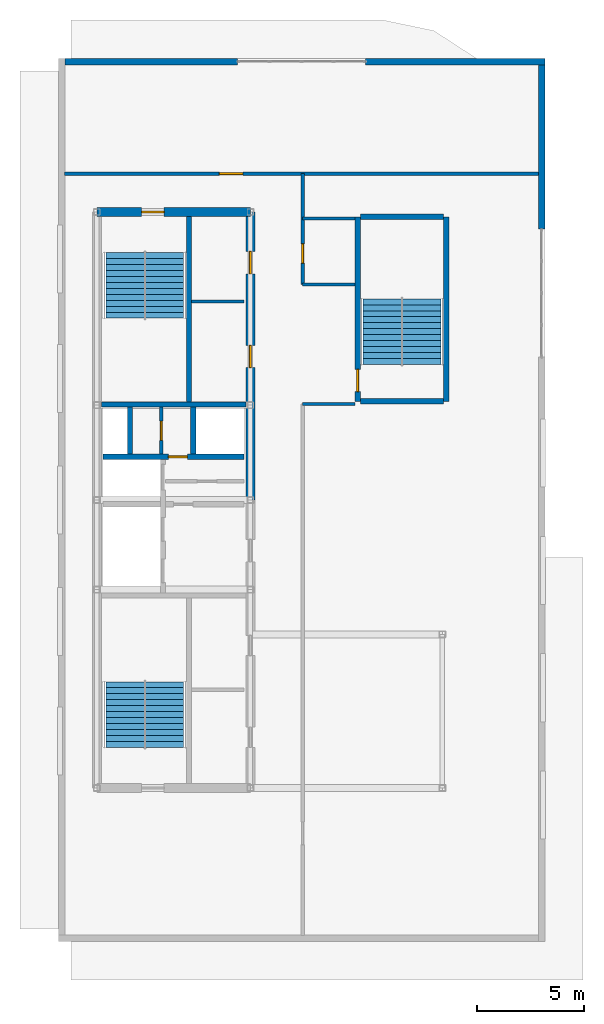
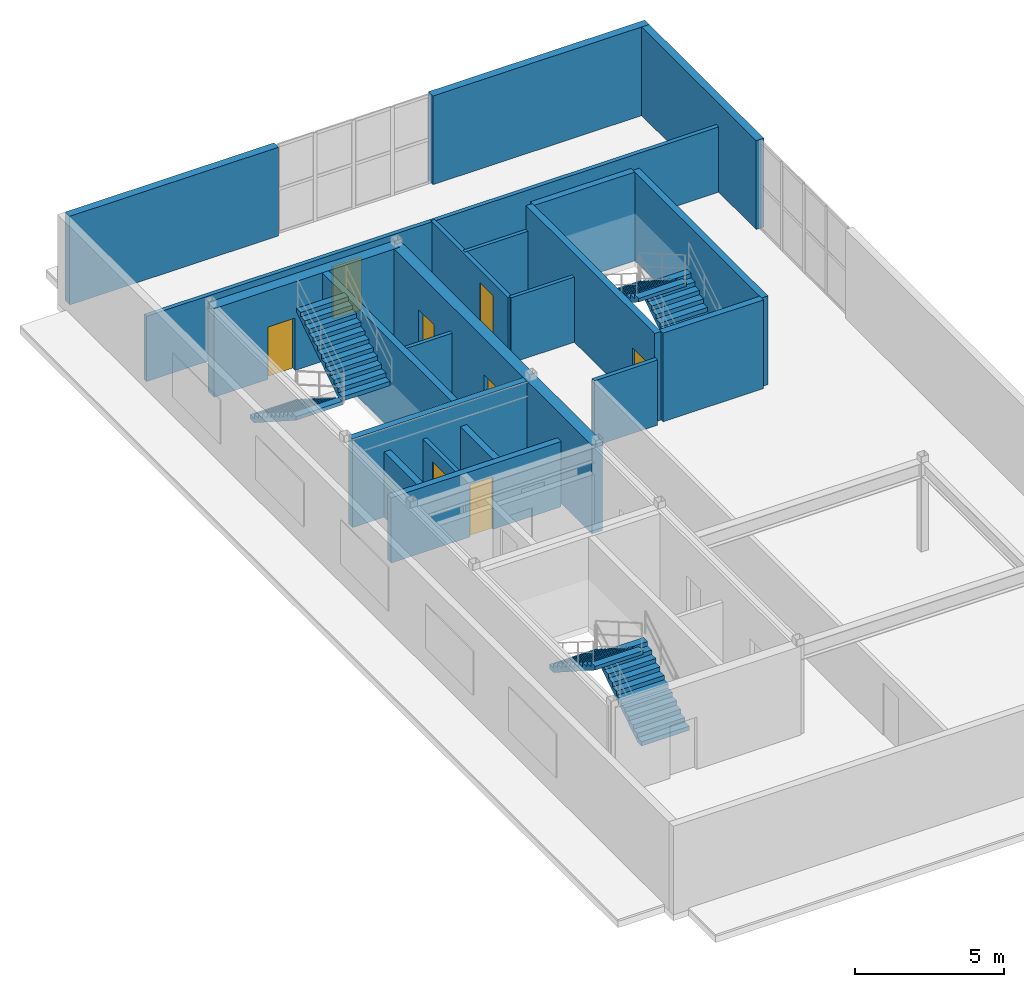
# One storey, part 6 of 9: 21 walls, 8 doors, 6 stair flights, 8 openings, 3 elements without a shape of their own.
"""IFC4 building model written with IfcOpenShell, lengths in metres."""

from ifc_helpers import new_model, entity, si_unit, converted_unit, direction, frame, origin_with_axes, origin_2d_with_axis, place, context, subcontext, project, spatial, polyline, rectangle, outline, extrude, material, layer, layer_set, type_object, element, fill, aggregate, save


model = new_model("IFC4")

# Units and contexts
model_context = context("Model", 3, precision=1e-05, world=origin_with_axes(), true_north=direction((0.0, 1.0)))
body_context = subcontext(model_context, "Body", "Model", "MODEL_VIEW")
ifc_project = project(units=[si_unit("LENGTHUNIT", "METRE"), si_unit("AREAUNIT", "SQUARE_METRE"), si_unit("VOLUMEUNIT", "CUBIC_METRE"), converted_unit("PLANEANGLEUNIT", "DEGREE", entity("IfcPlaneAngleMeasure", 0.017453292519943295), si_unit("PLANEANGLEUNIT", "RADIAN"), dimensions=[0, 0, 0, 0, 0, 0, 0]), si_unit("MASSUNIT", "GRAM", prefix="KILO"), si_unit("THERMODYNAMICTEMPERATUREUNIT", "KELVIN")], contexts=[model_context])

# Site, building, storey
site_placement = place(None, origin_with_axes())
site = spatial("IfcSite", under=ifc_project, at=site_placement, CompositionType="ELEMENT")
building_placement = place(site_placement, origin_with_axes())
building = spatial("IfcBuilding", under=site, at=building_placement, Name="Varnlund Millrace Tower", CompositionType="ELEMENT")
storey_placement = place(building_placement, frame((0.0, 0.0, 308.7), z_axis=(0.0, 0.0, 1.0), x_axis=(1.0, 0.0, 0.0)))
storey = spatial("IfcBuildingStorey", under=building, at=storey_placement, Name="L76", CompositionType="ELEMENT", Elevation=308.7)

# Wall, opening, door
ifc_material_1 = material(Name="Concrete C60/75", Category="concrete")
ifc_layer_1 = layer(ifc_material_1, 0.42, Name="Concrete C60/75")
ifc_layer_set_1 = layer_set([ifc_layer_1], Name="Concrete C60/75")
wall_type_1 = type_object("IfcWallType", Name="Type-CoreWall-Shear-420-C60", PredefinedType="SHEAR", material=ifc_layer_set_1)
wall_1_placement = place(storey_placement, frame((11.4, 37.8, 0.0), z_axis=(0.0, 0.0, 1.0), x_axis=(1.0, 0.0, 0.0)))
wall_1 = element("IfcWall", 1, at=wall_1_placement, inside=storey, type_object=wall_type_1, Name="Type-CoreWall-Shear-420-C60", PredefinedType="SHEAR", context=body_context, shape_type="SweptSolid", body=[
    extrude(outline(polyline([(0.0, -0.21), (7.2, -0.21), (7.2, 0.21), (0.0, 0.21), (0.0, -0.21)])), origin_with_axes(), (0.0, 0.0, 1.0), 3.64),
])
opening_1_placement = place(wall_1_placement, frame((2.625, 0.0, 0.0), z_axis=(0.0, 0.0, 1.0), x_axis=(1.0, 0.0, 0.0)))
opening_1 = element("IfcOpeningElement", 2, at=opening_1_placement, cuts=wall_1, Name="Opening L76:DR-STA2", PredefinedType="OPENING", context=body_context, shape_type="SweptSolid", body=[
    extrude(rectangle(XDim=1.05, YDim=0.44, at=origin_2d_with_axis()), origin_with_axes(), (0.0, 0.0, 1.0), 2.15),
])
ifc_material_2 = material(Name="Fire-rated hollow steel door", Category="steel")
door_type_1 = type_object("IfcDoorType", Name="Type-FireDoor-Stair-1050X2150", OperationType="NOTDEFINED", PredefinedType="DOOR", material=ifc_material_2)
door_1_placement = place(wall_1_placement, frame((2.625, 0.0, 0.0), z_axis=(0.0, 0.0, 1.0), x_axis=(1.0, 0.0, 0.0)))
door_1 = element("IfcDoor", 3, at=door_1_placement, inside=storey, type_object=door_type_1, Name="Type-FireDoor-Stair-1050X2150", OperationType="SINGLE_SWING_RIGHT", OverallHeight=2.15, OverallWidth=1.05, PredefinedType="DOOR", context=body_context, shape_type="SweptSolid", body=[
    extrude(rectangle(XDim=1.05, YDim=0.09, at=origin_2d_with_axis()), origin_with_axes(), (0.0, 0.0, 1.0), 2.15),
])
fill(opening_1, door_1)

# Wall, openings, doors
wall_2_placement = place(storey_placement, frame((18.6, 24.3, 0.0), z_axis=(0.0, 0.0, 1.0), x_axis=(0.0, 1.0, 0.0)))
wall_2 = element("IfcWall", 4, at=wall_2_placement, inside=storey, type_object=wall_type_1, Name="Type-CoreWall-Shear-420-C60", PredefinedType="SHEAR", context=body_context, shape_type="SweptSolid", body=[
    extrude(outline(polyline([(0.0, -0.21), (13.5, -0.21), (13.5, 0.21), (0.0, 0.21), (0.0, -0.21)])), origin_with_axes(), (0.0, 0.0, 1.0), 3.64),
])
opening_2_placement = place(wall_2_placement, frame((6.725, 0.0, 0.0), z_axis=(0.0, 0.0, 1.0), x_axis=(1.0, 0.0, 0.0)))
opening_2 = element("IfcOpeningElement", 5, at=opening_2_placement, cuts=wall_2, Name="Opening L76:DR-RECL-M1", PredefinedType="OPENING", context=body_context, shape_type="SweptSolid", body=[
    extrude(rectangle(XDim=1.05, YDim=0.44, at=origin_2d_with_axis()), origin_with_axes(), (0.0, 0.0, 1.0), 2.15),
])
opening_3_placement = place(wall_2_placement, frame((11.125, 0.0, 0.0), z_axis=(0.0, 0.0, 1.0), x_axis=(1.0, 0.0, 0.0)))
opening_3 = element("IfcOpeningElement", 6, at=opening_3_placement, cuts=wall_2, Name="Opening L76:DR-RECL-M2", PredefinedType="OPENING", context=body_context, shape_type="SweptSolid", body=[
    extrude(rectangle(XDim=1.05, YDim=0.44, at=origin_2d_with_axis()), origin_with_axes(), (0.0, 0.0, 1.0), 2.15),
])
ifc_material_3 = material(Name="Smoke-barrier hollow steel fire door", Category="steel")
door_type_2 = type_object("IfcDoorType", Name="Type-FireDoor-Lobby-1050X2150", OperationType="NOTDEFINED", PredefinedType="DOOR", material=ifc_material_3)
door_2_placement = place(wall_2_placement, frame((6.725, 0.0, 0.0), z_axis=(0.0, 0.0, 1.0), x_axis=(1.0, 0.0, 0.0)))
door_2 = element("IfcDoor", 7, at=door_2_placement, inside=storey, type_object=door_type_2, Name="Type-FireDoor-Lobby-1050X2150", OperationType="SINGLE_SWING_LEFT", OverallHeight=2.15, OverallWidth=1.05, PredefinedType="DOOR", context=body_context, shape_type="SweptSolid", body=[
    extrude(rectangle(XDim=1.05, YDim=0.09, at=origin_2d_with_axis()), origin_with_axes(), (0.0, 0.0, 1.0), 2.15),
])
fill(opening_2, door_2)
door_3_placement = place(wall_2_placement, frame((11.125, 0.0, 0.0), z_axis=(0.0, 0.0, 1.0), x_axis=(1.0, 0.0, 0.0)))
door_3 = element("IfcDoor", 8, at=door_3_placement, inside=storey, type_object=door_type_2, Name="Type-FireDoor-Lobby-1050X2150", OperationType="SINGLE_SWING_RIGHT", OverallHeight=2.15, OverallWidth=1.05, PredefinedType="DOOR", context=body_context, shape_type="SweptSolid", body=[
    extrude(rectangle(XDim=1.05, YDim=0.09, at=origin_2d_with_axis()), origin_with_axes(), (0.0, 0.0, 1.0), 2.15),
])
fill(opening_3, door_3)

# Walls
ifc_material_4 = material(Name="Precast concrete C50/60", Category="concrete")
ifc_layer_2 = layer(ifc_material_4, 0.3, Name="Precast concrete C50/60")
ifc_layer_set_2 = layer_set([ifc_layer_2], Name="Precast concrete C50/60")
wall_type_2 = type_object("IfcWallType", Name="Type-ExtWall-Precast-Crown-300", PredefinedType="SOLIDWALL", material=ifc_layer_set_2)
wall_3_placement = place(storey_placement, frame((9.9, 44.85, 0.0), z_axis=(0.0, 0.0, 1.0), x_axis=(1.0, 0.0, 0.0)))
element("IfcWall", 9, at=wall_3_placement, inside=storey, type_object=wall_type_2, Name="Type-ExtWall-Precast-Crown-300", PredefinedType="SOLIDWALL", context=body_context, shape_type="SweptSolid", body=[
    extrude(outline(polyline([(0.0, -0.15), (8.1, -0.15), (8.1, 0.15), (0.0, 0.15), (0.0, -0.15)])), origin_with_axes(), (0.0, 0.0, 1.0), 3.64),
])
wall_4_placement = place(storey_placement, frame((24.0, 44.85, 0.0), z_axis=(0.0, 0.0, 1.0), x_axis=(1.0, 0.0, 0.0)))
element("IfcWall", 10, at=wall_4_placement, inside=storey, type_object=wall_type_2, Name="Type-ExtWall-Precast-Crown-300", PredefinedType="SOLIDWALL", context=body_context, shape_type="SweptSolid", body=[
    extrude(outline(polyline([(0.0, -0.15), (8.4, -0.15), (8.4, 0.15), (0.0, 0.15), (0.0, -0.15)])), origin_with_axes(), (0.0, 0.0, 1.0), 3.64),
])
wall_5_placement = place(storey_placement, frame((32.25, 44.7, 0.0), z_axis=(0.0, 0.0, 1.0), x_axis=(0.0, -1.0, 0.0)))
element("IfcWall", 11, at=wall_5_placement, inside=storey, type_object=wall_type_2, Name="Type-ExtWall-Precast-Crown-300", PredefinedType="SOLIDWALL", context=body_context, shape_type="SweptSolid", body=[
    extrude(outline(polyline([(0.0, -0.15), (7.7, -0.15), (7.7, 0.15), (0.0, 0.15), (0.0, -0.15)])), origin_with_axes(), (0.0, 0.0, 1.0), 3.64),
])

# Wall, opening, door
ifc_material_5 = material(Name="Fire-rated gypsum board on cold-formed steel framing", Category="steel")
ifc_layer_3 = layer(ifc_material_5, 0.16, Name="Fire-rated gypsum board on cold-formed steel framing")
ifc_layer_set_3 = layer_set([ifc_layer_3], Name="Fire-rated gypsum board on cold-formed steel framing")
wall_type_3 = type_object("IfcWallType", Name="Type-Partition-Corridor-160", PredefinedType="PARTITIONING", material=ifc_layer_set_3)
wall_6_placement = place(storey_placement, frame((14.42, 26.45, 0.0), z_axis=(0.0, 0.0, 1.0), x_axis=(0.0, 1.0, 0.0)))
wall_6 = element("IfcWall", 12, at=wall_6_placement, inside=storey, type_object=wall_type_3, Name="Type-Partition-Corridor-160", PredefinedType="PARTITIONING", context=body_context, shape_type="SweptSolid", body=[
    extrude(outline(polyline([(0.0, -0.08), (2.2, -0.08), (2.2, 0.08), (0.0, 0.08), (0.0, -0.08)])), origin_with_axes(), (0.0, 0.0, 1.0), 2.68),
])
opening_4_placement = place(wall_6_placement, frame((1.1, 0.0, 0.0), z_axis=(0.0, 0.0, 1.0), x_axis=(1.0, 0.0, 0.0)))
opening_4 = element("IfcOpeningElement", 13, at=opening_4_placement, cuts=wall_6, Name="Opening L76:DR-CA-EL2", PredefinedType="OPENING", context=body_context, shape_type="SweptSolid", body=[
    extrude(rectangle(XDim=0.9, YDim=0.18, at=origin_2d_with_axis()), origin_with_axes(), (0.0, 0.0, 1.0), 2.15),
])
ifc_material_6 = material(Name="Painted steel riser and closet door", Category="steel")
door_type_3 = type_object("IfcDoorType", Name="Type-IntDoor-Closet-900X2150", OperationType="NOTDEFINED", PredefinedType="DOOR", material=ifc_material_6)
door_4_placement = place(wall_6_placement, frame((1.1, 0.0, 0.0), z_axis=(0.0, 0.0, 1.0), x_axis=(1.0, 0.0, 0.0)))
door_4 = element("IfcDoor", 14, at=door_4_placement, inside=storey, type_object=door_type_3, Name="Type-IntDoor-Closet-900X2150", OperationType="SINGLE_SWING_LEFT", OverallHeight=2.15, OverallWidth=0.9, PredefinedType="DOOR", context=body_context, shape_type="SweptSolid", body=[
    extrude(rectangle(XDim=0.9, YDim=0.09, at=origin_2d_with_axis()), origin_with_axes(), (0.0, 0.0, 1.0), 2.15),
])
fill(opening_4, door_4)

wall_7_placement = place(storey_placement, frame((21.05, 34.4, 0.0), z_axis=(0.0, 0.0, 1.0), x_axis=(0.0, 1.0, 0.0)))
wall_7 = element("IfcWall", 15, at=wall_7_placement, inside=storey, type_object=wall_type_3, Name="Type-Partition-Corridor-160", PredefinedType="PARTITIONING", context=body_context, shape_type="SweptSolid", body=[
    extrude(outline(polyline([(0.0, -0.08), (5.2, -0.08), (5.2, 0.08), (0.0, 0.08), (0.0, -0.08)])), origin_with_axes(), (0.0, 0.0, 1.0), 2.68),
])
opening_5_placement = place(wall_7_placement, frame((1.45, 0.0, 0.0), z_axis=(0.0, 0.0, 1.0), x_axis=(1.0, 0.0, 0.0)))
opening_5 = element("IfcOpeningElement", 16, at=opening_5_placement, cuts=wall_7, Name="Opening L76:DR-CRN-WC", PredefinedType="OPENING", context=body_context, shape_type="SweptSolid", body=[
    extrude(rectangle(XDim=0.9, YDim=0.18, at=origin_2d_with_axis()), origin_with_axes(), (0.0, 0.0, 1.0), 2.15),
])
door_5_placement = place(wall_7_placement, frame((1.45, 0.0, 0.0), z_axis=(0.0, 0.0, 1.0), x_axis=(1.0, 0.0, 0.0)))
door_5 = element("IfcDoor", 17, at=door_5_placement, inside=storey, type_object=door_type_3, Name="Type-IntDoor-Closet-900X2150", OperationType="SINGLE_SWING_LEFT", OverallHeight=2.15, OverallWidth=0.9, PredefinedType="DOOR", context=body_context, shape_type="SweptSolid", body=[
    extrude(rectangle(XDim=0.9, YDim=0.09, at=origin_2d_with_axis()), origin_with_axes(), (0.0, 0.0, 1.0), 2.15),
])
fill(opening_5, door_5)

# Wall
wall_8_placement = place(storey_placement, frame((21.05, 28.8, 0.0), z_axis=(0.0, 0.0, 1.0), x_axis=(1.0, 0.0, 0.0)))
element("IfcWall", 18, at=wall_8_placement, inside=storey, type_object=wall_type_3, Name="Type-Partition-Corridor-160", PredefinedType="PARTITIONING", context=body_context, shape_type="SweptSolid", body=[
    extrude(outline(polyline([(0.0, -0.08), (2.45, -0.08), (2.45, 0.08), (0.0, 0.08), (0.0, -0.08)])), origin_with_axes(), (0.0, 0.0, 1.0), 2.68),
])

# Wall, opening, door
wall_9_placement = place(storey_placement, frame((9.895, 39.6, 0.0), z_axis=(0.0, 0.0, 1.0), x_axis=(1.0, 0.0, 0.0)))
wall_9 = element("IfcWall", 19, at=wall_9_placement, inside=storey, type_object=wall_type_3, Name="Type-Partition-Corridor-160", PredefinedType="PARTITIONING", context=body_context, shape_type="SweptSolid", body=[
    extrude(outline(polyline([(0.0, -0.08), (22.21, -0.08), (22.21, 0.08), (0.0, 0.08), (0.0, -0.08)])), origin_with_axes(), (0.0, 0.0, 1.0), 2.68),
])
opening_6_placement = place(wall_9_placement, frame((7.805, 0.0, 0.0), z_axis=(0.0, 0.0, 1.0), x_axis=(1.0, 0.0, 0.0)))
opening_6 = element("IfcOpeningElement", 20, at=opening_6_placement, cuts=wall_9, Name="Opening L76:DR-CRN-SWG", PredefinedType="OPENING", context=body_context, shape_type="SweptSolid", body=[
    extrude(rectangle(XDim=1.1, YDim=0.18, at=origin_2d_with_axis()), origin_with_axes(), (0.0, 0.0, 1.0), 2.15),
])
ifc_material_7 = material(Name="Fire-rated mechanical room steel door", Category="steel")
door_type_4 = type_object("IfcDoorType", Name="Type-FireDoor-Plant-1100X2150", OperationType="NOTDEFINED", PredefinedType="DOOR", material=ifc_material_7)
door_6_placement = place(wall_9_placement, frame((7.805, 0.0, 0.0), z_axis=(0.0, 0.0, 1.0), x_axis=(1.0, 0.0, 0.0)))
door_6 = element("IfcDoor", 21, at=door_6_placement, inside=storey, type_object=door_type_4, Name="Type-FireDoor-Plant-1100X2150", OperationType="SINGLE_SWING_LEFT", OverallHeight=2.15, OverallWidth=1.1, PredefinedType="DOOR", context=body_context, shape_type="SweptSolid", body=[
    extrude(rectangle(XDim=1.1, YDim=0.09, at=origin_2d_with_axis()), origin_with_axes(), (0.0, 0.0, 1.0), 2.15),
])
fill(opening_6, door_6)

# Walls
ifc_material_8 = material(Name="Moisture-resistant gypsum restroom partition", Category="gypsum")
ifc_layer_4 = layer(ifc_material_8, 0.14, Name="Moisture-resistant gypsum restroom partition")
ifc_layer_set_4 = layer_set([ifc_layer_4], Name="Moisture-resistant gypsum restroom partition")
wall_type_4 = type_object("IfcWallType", Name="Type-Partition-Wet-140", PredefinedType="PARTITIONING", material=ifc_layer_set_4)
wall_10_placement = place(storey_placement, frame((15.84, 33.6, 0.0), z_axis=(0.0, 0.0, 1.0), x_axis=(1.0, 0.0, 0.0)))
element("IfcWall", 22, at=wall_10_placement, inside=storey, type_object=wall_type_4, Name="Type-Partition-Wet-140", PredefinedType="PARTITIONING", context=body_context, shape_type="SweptSolid", body=[
    extrude(outline(polyline([(0.0, -0.07), (2.46, -0.07), (2.46, 0.07), (0.0, 0.07), (0.0, -0.07)])), origin_with_axes(), (0.0, 0.0, 1.0), 2.68),
])
for number, where, z_axis, x_axis, name in (
    (23, (21.05, 34.4, 0.0), (0.0, 0.0, 1.0), (1.0, 0.0, 0.0), "Type-Partition-Wet-140"),
    (24, (21.05, 37.5, 0.0), (0.0, 0.0, 1.0), (1.0, 0.0, 0.0), "Type-Partition-Wet-140"),
):
    element("IfcWall", number, at=place(storey_placement, frame(where, z_axis=z_axis, x_axis=x_axis)), inside=storey, type_object=wall_type_4, Name=name, PredefinedType="PARTITIONING", context=body_context, shape_type="SweptSolid", body=[
        extrude(outline(polyline([(0.0, -0.07), (2.45, -0.07), (2.45, 0.07), (0.0, 0.07), (0.0, -0.07)])), origin_with_axes(), (0.0, 0.0, 1.0), 2.68),
    ])

# Wall, opening, door
ifc_layer_5 = layer(ifc_material_1, 0.25, Name="Concrete C60/75")
ifc_layer_set_5 = layer_set([ifc_layer_5], Name="Concrete C60/75")
wall_type_5 = type_object("IfcWallType", Name="Type-ShaftWall-Fire-250", PredefinedType="SOLIDWALL", material=ifc_layer_set_5)
wall_11_placement = place(storey_placement, frame((11.7, 26.325, 0.0), z_axis=(0.0, 0.0, 1.0), x_axis=(1.0, 0.0, 0.0)))
wall_11 = element("IfcWall", 25, at=wall_11_placement, inside=storey, type_object=wall_type_5, Name="Type-ShaftWall-Fire-250", PredefinedType="SOLIDWALL", context=body_context, shape_type="SweptSolid", body=[
    extrude(outline(polyline([(0.0, -0.125), (6.6, -0.125), (6.6, 0.125), (0.0, 0.125), (0.0, -0.125)])), origin_with_axes(), (0.0, 0.0, 1.0), 2.68),
])
opening_7_placement = place(wall_11_placement, frame((3.5, 0.0, 0.0), z_axis=(0.0, 0.0, 1.0), x_axis=(1.0, 0.0, 0.0)))
opening_7 = element("IfcOpeningElement", 26, at=opening_7_placement, cuts=wall_11, Name="Opening L76:DR-CA-EL1", PredefinedType="OPENING", context=body_context, shape_type="SweptSolid", body=[
    extrude(rectangle(XDim=0.9, YDim=0.27, at=origin_2d_with_axis()), origin_with_axes(), (0.0, 0.0, 1.0), 2.15),
])
ifc_material_9 = material(Name="Fire-rated hollow steel service closet door", Category="steel")
door_type_5 = type_object("IfcDoorType", Name="Type-FireDoor-Closet-900X2150", OperationType="NOTDEFINED", PredefinedType="DOOR", material=ifc_material_9)
door_7_placement = place(wall_11_placement, frame((3.5, 0.0, 0.0), z_axis=(0.0, 0.0, 1.0), x_axis=(1.0, 0.0, 0.0)))
door_7 = element("IfcDoor", 27, at=door_7_placement, inside=storey, type_object=door_type_5, Name="Type-FireDoor-Closet-900X2150", OperationType="SINGLE_SWING_LEFT", OverallHeight=2.15, OverallWidth=0.9, PredefinedType="DOOR", context=body_context, shape_type="SweptSolid", body=[
    extrude(rectangle(XDim=0.9, YDim=0.09, at=origin_2d_with_axis()), origin_with_axes(), (0.0, 0.0, 1.0), 2.15),
])
fill(opening_7, door_7)

# Walls
for number, where, z_axis, x_axis, name in (
    (28, (12.96, 26.45, 0.0), (0.0, 0.0, 1.0), (0.0, 1.0, 0.0), "Type-ShaftWall-Fire-250"),
    (29, (15.925, 26.45, 0.0), (0.0, 0.0, 1.0), (0.0, 1.0, 0.0), "Type-ShaftWall-Fire-250"),
):
    element("IfcWall", number, at=place(storey_placement, frame(where, z_axis=z_axis, x_axis=x_axis)), inside=storey, type_object=wall_type_5, Name=name, PredefinedType="SOLIDWALL", context=body_context, shape_type="SweptSolid", body=[
        extrude(outline(polyline([(0.0, -0.125), (2.2, -0.125), (2.2, 0.125), (0.0, 0.125), (0.0, -0.125)])), origin_with_axes(), (0.0, 0.0, 1.0), 2.68),
    ])
wall_type_6 = type_object("IfcWallType", Name="Type-StairWall-Shear-250", PredefinedType="SHEAR", material=ifc_layer_set_5)
wall_12_placement = place(storey_placement, frame((15.725, 28.9, 0.0), z_axis=(0.0, 0.0, 1.0), x_axis=(0.0, 1.0, 0.0)))
element("IfcWall", 30, at=wall_12_placement, inside=storey, type_object=wall_type_6, Name="Type-StairWall-Shear-250", PredefinedType="SHEAR", context=body_context, shape_type="SweptSolid", body=[
    extrude(outline(polyline([(0.0, -0.125), (8.69, -0.125), (8.69, 0.125), (0.0, 0.125), (0.0, -0.125)])), origin_with_axes(), (0.0, 0.0, 1.0), 3.64),
])
wall_13_placement = place(storey_placement, frame((11.61, 28.775, 0.0), z_axis=(0.0, 0.0, 1.0), x_axis=(1.0, 0.0, 0.0)))
element("IfcWall", 31, at=wall_13_placement, inside=storey, type_object=wall_type_6, Name="Type-StairWall-Shear-250", PredefinedType="SHEAR", context=body_context, shape_type="SweptSolid", body=[
    extrude(outline(polyline([(0.0, -0.125), (6.78, -0.125), (6.78, 0.125), (0.0, 0.125), (0.0, -0.125)])), origin_with_axes(), (0.0, 0.0, 1.0), 3.64),
])

# Wall, opening, door
wall_14_placement = place(storey_placement, frame((23.625, 28.925, 0.0), z_axis=(0.0, 0.0, 1.0), x_axis=(0.0, 1.0, 0.0)))
wall_14 = element("IfcWall", 32, at=wall_14_placement, inside=storey, type_object=wall_type_6, Name="Type-StairWall-Shear-250", PredefinedType="SHEAR", context=body_context, shape_type="SweptSolid", body=[
    extrude(outline(polyline([(0.0, -0.125), (8.65, -0.125), (8.65, 0.125), (0.0, 0.125), (0.0, -0.125)])), origin_with_axes(), (0.0, 0.0, 1.0), 3.64),
])
opening_8_placement = place(wall_14_placement, frame((0.975, 0.0, 0.0), z_axis=(0.0, 0.0, 1.0), x_axis=(1.0, 0.0, 0.0)))
opening_8 = element("IfcOpeningElement", 33, at=opening_8_placement, cuts=wall_14, Name="Opening L76:DR-STA3", PredefinedType="OPENING", context=body_context, shape_type="SweptSolid", body=[
    extrude(rectangle(XDim=1.05, YDim=0.27, at=origin_2d_with_axis()), origin_with_axes(), (0.0, 0.0, 1.0), 2.15),
])
door_8_placement = place(wall_14_placement, frame((0.975, 0.0, 0.0), z_axis=(0.0, 0.0, 1.0), x_axis=(1.0, 0.0, 0.0)))
door_8 = element("IfcDoor", 34, at=door_8_placement, inside=storey, type_object=door_type_1, Name="Type-FireDoor-Stair-1050X2150", OperationType="SINGLE_SWING_LEFT", OverallHeight=2.15, OverallWidth=1.05, PredefinedType="DOOR", context=body_context, shape_type="SweptSolid", body=[
    extrude(rectangle(XDim=1.05, YDim=0.09, at=origin_2d_with_axis()), origin_with_axes(), (0.0, 0.0, 1.0), 2.15),
])
fill(opening_8, door_8)

# Walls
wall_15_placement = place(storey_placement, frame((27.775, 28.925, 0.0), z_axis=(0.0, 0.0, 1.0), x_axis=(0.0, 1.0, 0.0)))
element("IfcWall", 35, at=wall_15_placement, inside=storey, type_object=wall_type_6, Name="Type-StairWall-Shear-250", PredefinedType="SHEAR", context=body_context, shape_type="SweptSolid", body=[
    extrude(outline(polyline([(0.0, -0.125), (8.65, -0.125), (8.65, 0.125), (0.0, 0.125), (0.0, -0.125)])), origin_with_axes(), (0.0, 0.0, 1.0), 3.64),
])
for number, where, z_axis, x_axis, name in (
    (36, (23.75, 28.925, 0.0), (0.0, 0.0, 1.0), (1.0, 0.0, 0.0), "Type-StairWall-Shear-250"),
    (37, (23.75, 37.575, 0.0), (0.0, 0.0, 1.0), (1.0, 0.0, 0.0), "Type-StairWall-Shear-250"),
):
    element("IfcWall", number, at=place(storey_placement, frame(where, z_axis=z_axis, x_axis=x_axis)), inside=storey, type_object=wall_type_6, Name=name, PredefinedType="SHEAR", context=body_context, shape_type="SweptSolid", body=[
        extrude(outline(polyline([(0.0, -0.125), (3.9, -0.125), (3.9, 0.125), (0.0, 0.125), (0.0, -0.125)])), origin_with_axes(), (0.0, 0.0, 1.0), 3.64),
    ])

# Stair, stair flights
ifc_material_10 = material(Name="Concrete C50/60", Category="concrete")
stair_type = type_object("IfcStairType", Name="Type-Stair-Dogleg-185-390", PredefinedType="HALF_TURN_STAIR", material=ifc_material_10)
stair_1_placement = place(storey_placement, origin_with_axes())
stair_1 = element("IfcStair", 38, at=stair_1_placement, inside=storey, type_object=stair_type, Name="Type-Stair-Dogleg-185-390", PredefinedType="HALF_TURN_STAIR")
stair_flight_type = type_object("IfcStairFlightType", Name="Type-Dogleg-Run-185-390", PredefinedType="STRAIGHT", material=ifc_material_4)
stair_flight_1_placement = place(storey_placement, frame((13.625, 12.7, 0.0), z_axis=(1.0, 0.0, 0.0), x_axis=(0.0, 1.0, 0.0)))
stair_flight_1 = element("IfcStairFlight", 39, at=stair_flight_1_placement, type_object=stair_flight_type, Name="ST-A1 flight 1", NumberOfRisers=11, NumberOfTreads=11, PredefinedType="STRAIGHT", RiserHeight=0.177273, TreadLength=0.28, context=body_context, shape_type="SweptSolid", body=[
    extrude(outline(polyline([(0.0, 0.0), (0.0, 0.177273), (0.28, 0.177273), (0.28, 0.354545), (0.56, 0.354545), (0.56, 0.531818), (0.84, 0.531818), (0.84, 0.709091), (1.12, 0.709091), (1.12, 0.886364), (1.4, 0.886364), (1.4, 1.063636), (1.68, 1.063636), (1.68, 1.240909), (1.96, 1.240909), (1.96, 1.418182), (2.24, 1.418182), (2.24, 1.595454), (2.52, 1.595454), (2.52, 1.772727), (2.8, 1.772727), (2.8, 1.95), (3.08, 1.95), (3.08, 1.8), (0.28, 0.0), (0.0, 0.0)])), origin_with_axes(), (0.0, 0.0, 1.0), 1.85),
])
stair_flight_2_placement = place(storey_placement, frame((13.675, 15.78, 1.95), z_axis=(-1.0, 0.0, 0.0), x_axis=(0.0, -1.0, 0.0)))
stair_flight_2 = element("IfcStairFlight", 40, at=stair_flight_2_placement, type_object=stair_flight_type, Name="ST-A1 flight 2", NumberOfRisers=11, NumberOfTreads=11, PredefinedType="STRAIGHT", RiserHeight=0.177273, TreadLength=0.28, context=body_context, shape_type="SweptSolid", body=[
    extrude(outline(polyline([(0.0, 0.0), (0.0, 0.177273), (0.28, 0.177273), (0.28, 0.354545), (0.56, 0.354545), (0.56, 0.531818), (0.84, 0.531818), (0.84, 0.709091), (1.12, 0.709091), (1.12, 0.886364), (1.4, 0.886364), (1.4, 1.063636), (1.68, 1.063636), (1.68, 1.240909), (1.96, 1.240909), (1.96, 1.418182), (2.24, 1.418182), (2.24, 1.595454), (2.52, 1.595454), (2.52, 1.772727), (2.8, 1.772727), (2.8, 1.95), (3.08, 1.95), (3.08, 1.8), (0.28, 0.0), (0.0, 0.0)])), origin_with_axes(), (0.0, 0.0, 1.0), 1.85),
])
aggregate(stair_1, [stair_flight_1, stair_flight_2])

stair_2_placement = place(storey_placement, origin_with_axes())
stair_2 = element("IfcStair", 41, at=stair_2_placement, inside=storey, type_object=stair_type, Name="Type-Stair-Dogleg-185-390", PredefinedType="HALF_TURN_STAIR")
stair_flight_3_placement = place(storey_placement, frame((13.675, 35.9, 0.0), z_axis=(-1.0, 0.0, 0.0), x_axis=(0.0, -1.0, 0.0)))
stair_flight_3 = element("IfcStairFlight", 42, at=stair_flight_3_placement, type_object=stair_flight_type, Name="ST-A2 flight 1", NumberOfRisers=11, NumberOfTreads=11, PredefinedType="STRAIGHT", RiserHeight=0.177273, TreadLength=0.28, context=body_context, shape_type="SweptSolid", body=[
    extrude(outline(polyline([(0.0, 0.0), (0.0, 0.177273), (0.28, 0.177273), (0.28, 0.354545), (0.56, 0.354545), (0.56, 0.531818), (0.84, 0.531818), (0.84, 0.709091), (1.12, 0.709091), (1.12, 0.886364), (1.4, 0.886364), (1.4, 1.063636), (1.68, 1.063636), (1.68, 1.240909), (1.96, 1.240909), (1.96, 1.418182), (2.24, 1.418182), (2.24, 1.595454), (2.52, 1.595454), (2.52, 1.772727), (2.8, 1.772727), (2.8, 1.95), (3.08, 1.95), (3.08, 1.8), (0.28, 0.0), (0.0, 0.0)])), origin_with_axes(), (0.0, 0.0, 1.0), 1.85),
])
stair_flight_4_placement = place(storey_placement, frame((13.625, 32.82, 1.95), z_axis=(1.0, 0.0, 0.0), x_axis=(0.0, 1.0, 0.0)))
stair_flight_4 = element("IfcStairFlight", 43, at=stair_flight_4_placement, type_object=stair_flight_type, Name="ST-A2 flight 2", NumberOfRisers=11, NumberOfTreads=11, PredefinedType="STRAIGHT", RiserHeight=0.177273, TreadLength=0.28, context=body_context, shape_type="SweptSolid", body=[
    extrude(outline(polyline([(0.0, 0.0), (0.0, 0.177273), (0.28, 0.177273), (0.28, 0.354545), (0.56, 0.354545), (0.56, 0.531818), (0.84, 0.531818), (0.84, 0.709091), (1.12, 0.709091), (1.12, 0.886364), (1.4, 0.886364), (1.4, 1.063636), (1.68, 1.063636), (1.68, 1.240909), (1.96, 1.240909), (1.96, 1.418182), (2.24, 1.418182), (2.24, 1.595454), (2.52, 1.595454), (2.52, 1.772727), (2.8, 1.772727), (2.8, 1.95), (3.08, 1.95), (3.08, 1.8), (0.28, 0.0), (0.0, 0.0)])), origin_with_axes(), (0.0, 0.0, 1.0), 1.85),
])
aggregate(stair_2, [stair_flight_3, stair_flight_4])

stair_3_placement = place(storey_placement, origin_with_axes())
stair_3 = element("IfcStair", 44, at=stair_3_placement, inside=storey, type_object=stair_type, Name="Type-Stair-Dogleg-185-390", PredefinedType="HALF_TURN_STAIR")
stair_flight_5_placement = place(storey_placement, frame((25.675, 30.65, 0.0), z_axis=(1.0, 0.0, 0.0), x_axis=(0.0, 1.0, 0.0)))
stair_flight_5 = element("IfcStairFlight", 45, at=stair_flight_5_placement, type_object=stair_flight_type, Name="ST-A3 flight 1", NumberOfRisers=11, NumberOfTreads=11, PredefinedType="STRAIGHT", RiserHeight=0.177273, TreadLength=0.28, context=body_context, shape_type="SweptSolid", body=[
    extrude(outline(polyline([(0.0, 0.0), (0.0, 0.177273), (0.28, 0.177273), (0.28, 0.354545), (0.56, 0.354545), (0.56, 0.531818), (0.84, 0.531818), (0.84, 0.709091), (1.12, 0.709091), (1.12, 0.886364), (1.4, 0.886364), (1.4, 1.063636), (1.68, 1.063636), (1.68, 1.240909), (1.96, 1.240909), (1.96, 1.418182), (2.24, 1.418182), (2.24, 1.595454), (2.52, 1.595454), (2.52, 1.772727), (2.8, 1.772727), (2.8, 1.95), (3.08, 1.95), (3.08, 1.8), (0.28, 0.0), (0.0, 0.0)])), origin_with_axes(), (0.0, 0.0, 1.0), 1.85),
])
stair_flight_6_placement = place(storey_placement, frame((25.725, 33.73, 1.95), z_axis=(-1.0, 0.0, 0.0), x_axis=(0.0, -1.0, 0.0)))
stair_flight_6 = element("IfcStairFlight", 46, at=stair_flight_6_placement, type_object=stair_flight_type, Name="ST-A3 flight 2", NumberOfRisers=11, NumberOfTreads=11, PredefinedType="STRAIGHT", RiserHeight=0.177273, TreadLength=0.28, context=body_context, shape_type="SweptSolid", body=[
    extrude(outline(polyline([(0.0, 0.0), (0.0, 0.177273), (0.28, 0.177273), (0.28, 0.354545), (0.56, 0.354545), (0.56, 0.531818), (0.84, 0.531818), (0.84, 0.709091), (1.12, 0.709091), (1.12, 0.886364), (1.4, 0.886364), (1.4, 1.063636), (1.68, 1.063636), (1.68, 1.240909), (1.96, 1.240909), (1.96, 1.418182), (2.24, 1.418182), (2.24, 1.595454), (2.52, 1.595454), (2.52, 1.772727), (2.8, 1.772727), (2.8, 1.95), (3.08, 1.95), (3.08, 1.8), (0.28, 0.0), (0.0, 0.0)])), origin_with_axes(), (0.0, 0.0, 1.0), 1.85),
])
aggregate(stair_3, [stair_flight_5, stair_flight_6])

save(model, "model.ifc")
